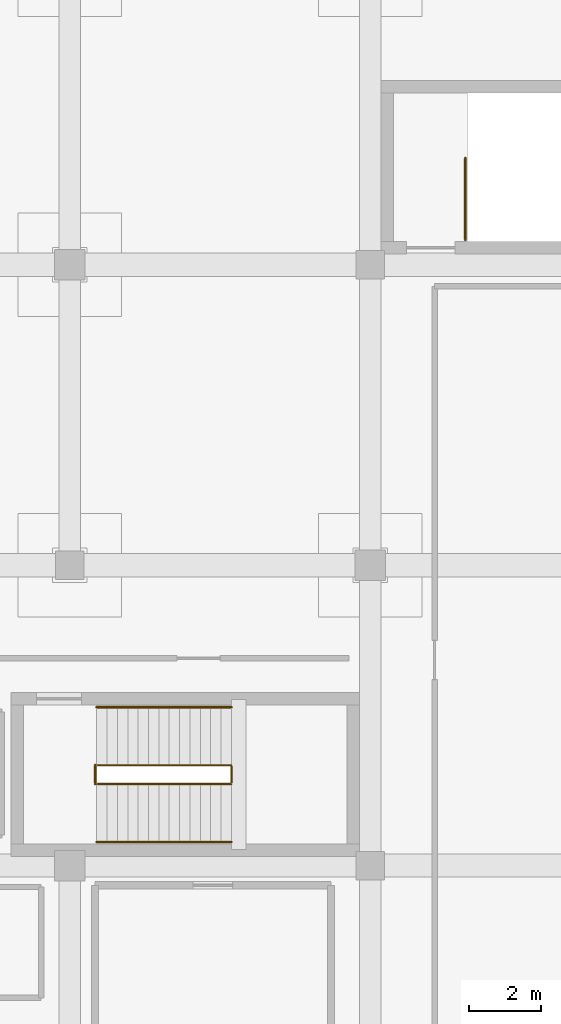
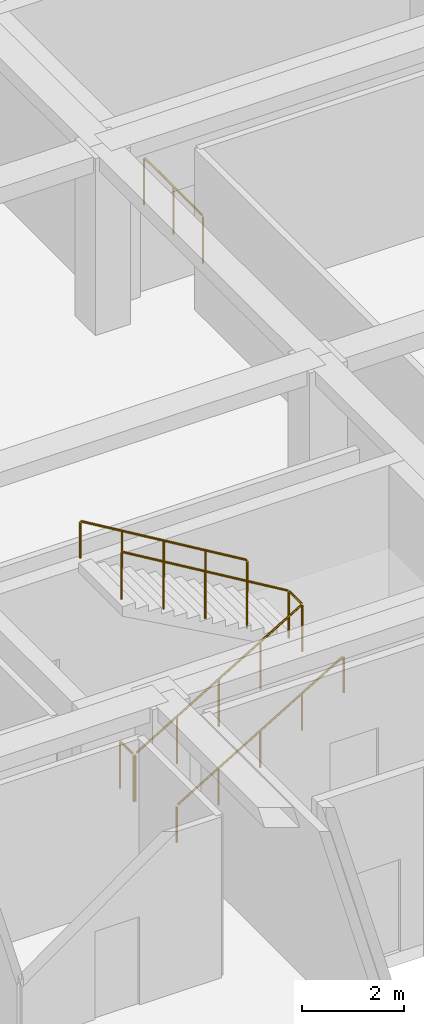
# One storey, part 85 of 85: 5 railings.
"""IFC4 building model written with IfcOpenShell, lengths in metres."""

from ifc_helpers import new_model, si_unit, direction, frame, origin, origin_2d, place, context, subcontext, project, spatial, circle, extrude, material, type_object, element, save


model = new_model("IFC4")

# Units and contexts
model_context = context("Model", 3, precision=1e-05, world=origin(), true_north=direction((0.0, 1.0)))
body_context = subcontext(model_context, "Body", "Model", "MODEL_VIEW")
ifc_project = project(units=[si_unit("LENGTHUNIT", "METRE"), si_unit("AREAUNIT", "SQUARE_METRE"), si_unit("VOLUMEUNIT", "CUBIC_METRE"), si_unit("PLANEANGLEUNIT", "RADIAN"), si_unit("MASSUNIT", "GRAM", prefix="KILO")], contexts=[model_context])

# Site, building, storey
site_placement = place(None, origin())
site = spatial("IfcSite", under=ifc_project, at=site_placement, CompositionType="ELEMENT")
building_placement = place(site_placement, origin())
building = spatial("IfcBuilding", under=site, at=building_placement, Name="Almacenes y Pasaje Nevantli", CompositionType="ELEMENT")
storey_placement = place(building_placement, frame((0.0, 0.0, 22.199951171875)))
storey = spatial("IfcBuildingStorey", under=building, at=storey_placement, Name="L05", CompositionType="ELEMENT", Elevation=22.199951171875)

# Railings
ifc_material_1 = material(Name="Brushed Stainless Steel and Tempered Safety Glass", Category="steel")
railing_type_1 = type_object("IfcRailingType", Name="RL-GUARD-1100", PredefinedType="BALUSTRADE", material=ifc_material_1)
railing_1_placement = place(storey_placement, frame((135.14990234375, 86.280029296875, 0.0)))
element("IfcRailing", 1, at=railing_1_placement, inside=storey, type_object=railing_type_1, Name="L05 Stair ST-02 Inner Well Guard Balustrade", PredefinedType="BALUSTRADE", context=body_context, shape_type="SweptSolid", body=[
    extrude(circle(Radius=0.02392578125, at=origin_2d()), frame((0.02587890625, 0.0, 1.14111328125), z_axis=(0.858697585051, 0.0, 0.512482641098), x_axis=(0.0, 1.0, 0.0)), (0.0, 0.0, 1.0), 4.330322265625),
    extrude(circle(Radius=0.02392578125, at=origin_2d()), frame((3.77001953125, 0.030029296875, 3.3759765625), z_axis=(0.0, 1.0, 0.0), x_axis=(-1.0, 0.0, 0.0)), (0.0, 0.0, 1.0), 0.469970703125),
    extrude(circle(Radius=0.02392578125, at=origin_2d()), frame((3.744140625, 0.530029296875, 3.39111328125), z_axis=(-0.858697585051, 0.0, 0.512482641098), x_axis=(0.0, -1.0, 0.0)), (0.0, 0.0, 1.0), 4.330322265625),
    extrude(circle(Radius=0.02099609375, at=origin_2d()), origin(), (0.0, 0.0, 1.0), 1.096923828125),
    extrude(circle(Radius=0.02099609375, at=origin_2d()), frame((0.9423828125, 0.0, 0.5625)), (0.0, 0.0, 1.0), 1.096923828125),
    extrude(circle(Radius=0.02099609375, at=origin_2d()), frame((1.885009765625, 0.0, 1.125)), (0.0, 0.0, 1.0), 1.096923828125),
    extrude(circle(Radius=0.02099609375, at=origin_2d()), frame((2.82763671875, 0.0, 1.6875)), (0.0, 0.0, 1.0), 1.096923828125),
    extrude(circle(Radius=0.02099609375, at=origin_2d()), frame((3.77001953125, 0.0, 2.25)), (0.0, 0.0, 1.0), 1.096923828125),
    extrude(circle(Radius=0.02099609375, at=origin_2d()), frame((3.77001953125, 0.530029296875, 2.25)), (0.0, 0.0, 1.0), 1.096923828125),
    extrude(circle(Radius=0.02099609375, at=origin_2d()), frame((2.82763671875, 0.530029296875, 2.8125)), (0.0, 0.0, 1.0), 1.096923828125),
    extrude(circle(Radius=0.02099609375, at=origin_2d()), frame((1.885009765625, 0.530029296875, 3.375)), (0.0, 0.0, 1.0), 1.096923828125),
    extrude(circle(Radius=0.02099609375, at=origin_2d()), frame((0.9423828125, 0.530029296875, 3.9375)), (0.0, 0.0, 1.0), 1.096923828125),
    extrude(circle(Radius=0.02099609375, at=origin_2d()), frame((0.0, 0.530029296875, 4.5)), (0.0, 0.0, 1.0), 1.096923828125),
])
railing_2_placement = place(storey_placement, frame((135.110107421875, 86.280029296875, 0.0)))
element("IfcRailing", 2, at=railing_2_placement, inside=storey, type_object=railing_type_1, Name="L05 Stair ST-02 Landing Well Slot Guard", PredefinedType="BALUSTRADE", context=body_context, shape_type="SweptSolid", body=[
    extrude(circle(Radius=0.02392578125, at=origin_2d()), frame((0.0, 0.030029296875, 1.1259765625), z_axis=(0.0, 1.0, 0.0), x_axis=(-1.0, 0.0, 0.0)), (0.0, 0.0, 1.0), 0.469970703125),
    extrude(circle(Radius=0.02099609375, at=origin_2d()), origin(), (0.0, 0.0, 1.0), 1.096923828125),
    extrude(circle(Radius=0.02099609375, at=origin_2d()), frame((0.0, 0.530029296875, 0.0)), (0.0, 0.0, 1.0), 1.096923828125),
])
railing_3_placement = place(storey_placement, frame((145.4599609375, 101.489990234375, 0.0)))
element("IfcRailing", 3, at=railing_3_placement, inside=storey, type_object=railing_type_1, Name="L05 Stair ST-07 Top Floor Well Guard", PredefinedType="BALUSTRADE", context=body_context, shape_type="SweptSolid", body=[
    extrude(circle(Radius=0.02392578125, at=origin_2d()), frame((0.0, 0.030029296875, 1.1259765625), z_axis=(0.0, 1.0, 0.0), x_axis=(-1.0, 0.0, 0.0)), (0.0, 0.0, 1.0), 2.239990234375),
    extrude(circle(Radius=0.02099609375, at=origin_2d()), origin(), (0.0, 0.0, 1.0), 1.096923828125),
    extrude(circle(Radius=0.02099609375, at=origin_2d()), frame((0.0, 1.14990234375, 0.0)), (0.0, 0.0, 1.0), 1.096923828125),
    extrude(circle(Radius=0.02099609375, at=origin_2d()), frame((0.0, 2.300048828125, 0.0)), (0.0, 0.0, 1.0), 1.096923828125),
])
ifc_material_2 = material(Name="Brushed Stainless Steel Tube", Category="steel")
railing_type_2 = type_object("IfcRailingType", Name="RL-HANDRAIL-900", PredefinedType="HANDRAIL", material=ifc_material_2)
railing_4_placement = place(storey_placement, frame((135.14990234375, 84.659912109375, 0.0)))
element("IfcRailing", 4, at=railing_4_placement, inside=storey, type_object=railing_type_2, Name="L05 Stair ST-02 Lower Flight Handrail", PredefinedType="HANDRAIL", context=body_context, shape_type="SweptSolid", body=[
    extrude(circle(Radius=0.02392578125, at=origin_2d()), frame((0.02587890625, 0.0, 0.89111328125), z_axis=(0.858697585051, 0.0, 0.512482641098), x_axis=(0.0, 1.0, 0.0)), (0.0, 0.0, 1.0), 4.330322265625),
    extrude(circle(Radius=0.02099609375, at=origin_2d()), origin(), (0.0, 0.0, 1.0), 0.846923828125),
    extrude(circle(Radius=0.02099609375, at=origin_2d()), frame((0.9423828125, 0.0, 0.5625)), (0.0, 0.0, 1.0), 0.846923828125),
    extrude(circle(Radius=0.02099609375, at=origin_2d()), frame((1.885009765625, 0.0, 1.125)), (0.0, 0.0, 1.0), 0.846923828125),
    extrude(circle(Radius=0.02099609375, at=origin_2d()), frame((2.82763671875, 0.0, 1.6875)), (0.0, 0.0, 1.0), 0.846923828125),
    extrude(circle(Radius=0.02099609375, at=origin_2d()), frame((3.77001953125, 0.0, 2.25)), (0.0, 0.0, 1.0), 0.846923828125),
])
railing_5_placement = place(storey_placement, frame((138.919921875, 88.429931640625, 2.25)))
element("IfcRailing", 5, at=railing_5_placement, inside=storey, type_object=railing_type_2, Name="L05 Stair ST-02 Upper Flight Handrail", PredefinedType="HANDRAIL", context=body_context, shape_type="SweptSolid", body=[
    extrude(circle(Radius=0.02392578125, at=origin_2d()), frame((-0.02587890625, 0.0, 0.89111328125), z_axis=(-0.858697585051, 0.0, 0.512482641098), x_axis=(0.0, -1.0, 0.0)), (0.0, 0.0, 1.0), 4.330322265625),
    extrude(circle(Radius=0.02099609375, at=origin_2d()), origin(), (0.0, 0.0, 1.0), 0.846923828125),
    extrude(circle(Radius=0.02099609375, at=origin_2d()), frame((-0.9423828125, 0.0, 0.5625)), (0.0, 0.0, 1.0), 0.846923828125),
    extrude(circle(Radius=0.02099609375, at=origin_2d()), frame((-1.885009765625, 0.0, 1.125)), (0.0, 0.0, 1.0), 0.846923828125),
    extrude(circle(Radius=0.02099609375, at=origin_2d()), frame((-2.82763671875, 0.0, 1.6875)), (0.0, 0.0, 1.0), 0.846923828125),
    extrude(circle(Radius=0.02099609375, at=origin_2d()), frame((-3.77001953125, 0.0, 2.25)), (0.0, 0.0, 1.0), 0.846923828125),
])

save(model, "model.ifc")
